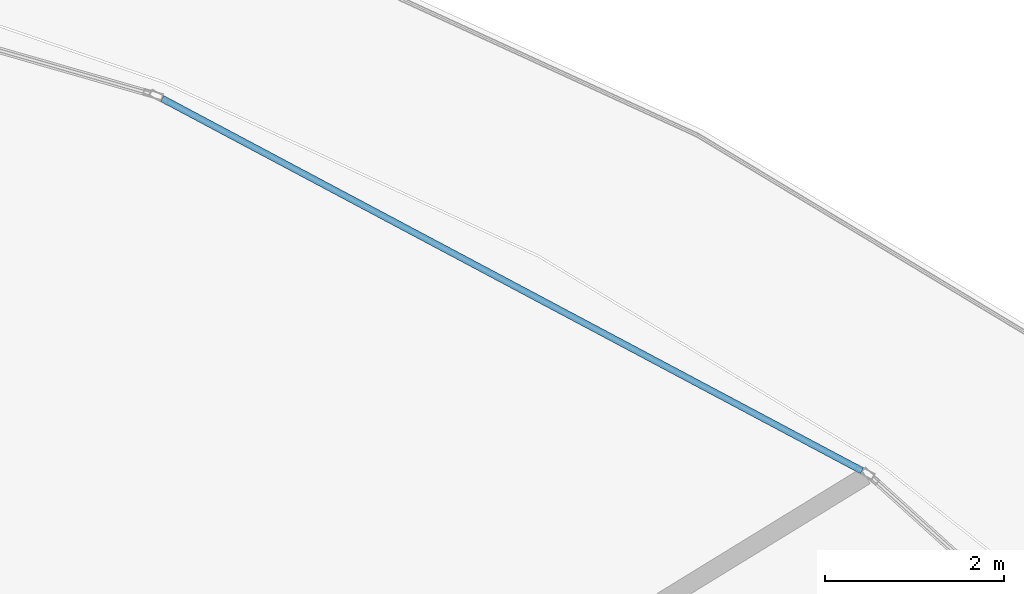
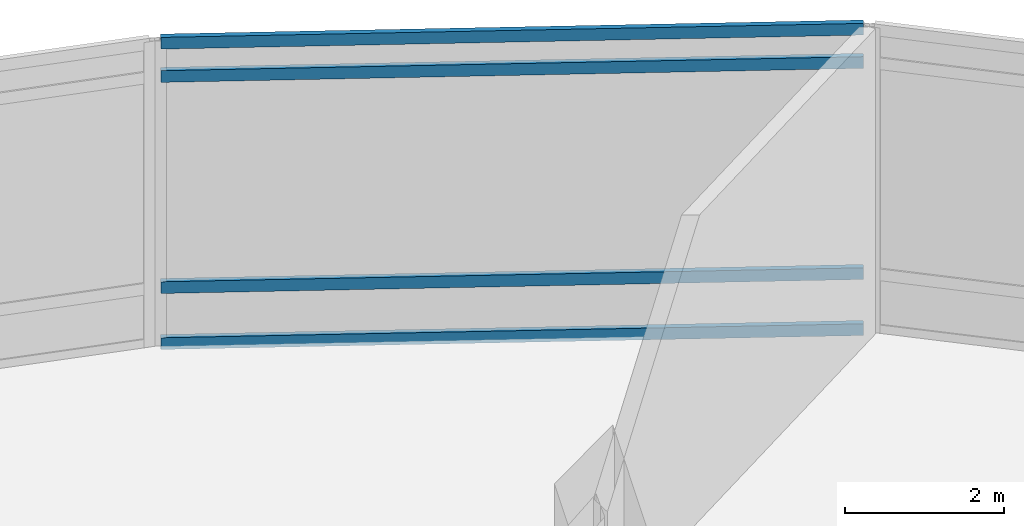
# One storey, part 20 of 37: 4 members, 1 element without a shape of its own.
"""IFC4 building model written with IfcOpenShell, lengths in metres."""

from ifc_helpers import new_model, si_unit, direction, frame, origin, origin_2d, place, context, subcontext, project, spatial, hollow_rectangle, extrude, material, layer, layer_set, material_profile, profile_set, type_object, element, aggregate, save


model = new_model("IFC4")

# Units and contexts
model_context = context("Model", 3, precision=1e-05, world=origin(), true_north=direction((0.0, 1.0)))
body_context = subcontext(model_context, "Body", "Model", "MODEL_VIEW")
ifc_project = project(units=[si_unit("LENGTHUNIT", "METRE"), si_unit("AREAUNIT", "SQUARE_METRE"), si_unit("VOLUMEUNIT", "CUBIC_METRE"), si_unit("PLANEANGLEUNIT", "RADIAN"), si_unit("MASSUNIT", "GRAM", prefix="KILO")], contexts=[model_context])

# Site, building, storey
site_placement = place(None, origin())
site = spatial("IfcSite", under=ifc_project, at=site_placement, CompositionType="ELEMENT")
building_placement = place(site_placement, origin())
building = spatial("IfcBuilding", under=site, at=building_placement, Name="Nuhasar Tower", CompositionType="ELEMENT")
storey_placement = place(building_placement, frame((0.0, 0.0, 6.0)))
storey = spatial("IfcBuildingStorey", under=building, at=storey_placement, Name="L01", CompositionType="ELEMENT", Elevation=6.0)

# Curtain wall, members
ifc_material = material(Name="Aluminium 6063-T6", Category="aluminium")
ifc_layer = layer(ifc_material, 0.219970703125)
ifc_layer_set = layer_set([ifc_layer], Name="Aluminium 6063-T6")
curtain_wall_type = type_object("IfcCurtainWallType", Name="CW-PODIUM", PredefinedType="NOTDEFINED", material=ifc_layer_set)
curtain_wall_placement = place(storey_placement, origin())
curtain_wall = element("IfcCurtainWall", 1, at=curtain_wall_placement, inside=storey, type_object=curtain_wall_type, Name="L01 Podium Curtain Wall Bay 04", PredefinedType="NOTDEFINED")
ifc_material_profile = material_profile(ifc_material, hollow_rectangle(XDim=0.074951171875, YDim=0.179931640625, WallThickness=0.00439453125, at=origin_2d()), Name="CWT-1")
ifc_profile_set = profile_set([ifc_material_profile], Name="Aluminium 6063-T6")
member_type = type_object("IfcMemberType", Name="CW-TRN-S1", PredefinedType="USERDEFINED", material=ifc_profile_set)
member_1_placement = place(storey_placement, frame((66.11474609375, 45.672119140625, 0.03759765625), z_axis=(-0.882899591214, 0.469561829619, 0.0), x_axis=(-0.469561829619, -0.882899591214, 0.0)))
member_1 = element("IfcMember", 2, at=member_1_placement, type_object=member_type, Name="CW-P1 transom 1.1", ObjectType="TRANSOM", PredefinedType="USERDEFINED", context=body_context, shape_type="SweptSolid", body=[
    extrude(hollow_rectangle(XDim=0.074951171875, YDim=0.179931640625, WallThickness=0.00439453125, at=origin_2d()), origin(), (0.0, 0.0, 1.0), 8.866943359375),
])
member_2_placement = place(storey_placement, frame((66.11474609375, 45.672119140625, 0.89990234375), z_axis=(-0.882899591214, 0.469561829619, 0.0), x_axis=(-0.469561829619, -0.882899591214, 0.0)))
member_2 = element("IfcMember", 3, at=member_2_placement, type_object=member_type, Name="CW-P1 transom 1.2", ObjectType="TRANSOM", PredefinedType="USERDEFINED", context=body_context, shape_type="SweptSolid", body=[
    extrude(hollow_rectangle(XDim=0.074951171875, YDim=0.179931640625, WallThickness=0.00439453125, at=origin_2d()), origin(), (0.0, 0.0, 1.0), 8.866943359375),
])
member_3_placement = place(storey_placement, frame((66.11474609375, 45.672119140625, 4.14990234375), z_axis=(-0.882899591214, 0.469561829619, 0.0), x_axis=(-0.469561829619, -0.882899591214, 0.0)))
member_3 = element("IfcMember", 4, at=member_3_placement, type_object=member_type, Name="CW-P1 transom 1.3", ObjectType="TRANSOM", PredefinedType="USERDEFINED", context=body_context, shape_type="SweptSolid", body=[
    extrude(hollow_rectangle(XDim=0.074951171875, YDim=0.179931640625, WallThickness=0.00439453125, at=origin_2d()), origin(), (0.0, 0.0, 1.0), 8.866943359375),
])
member_4_placement = place(storey_placement, frame((66.11474609375, 45.672119140625, 4.66259765625), z_axis=(-0.882899591214, 0.469561829619, 0.0), x_axis=(-0.469561829619, -0.882899591214, 0.0)))
member_4 = element("IfcMember", 5, at=member_4_placement, type_object=member_type, Name="CW-P1 transom 1.4", ObjectType="TRANSOM", PredefinedType="USERDEFINED", context=body_context, shape_type="SweptSolid", body=[
    extrude(hollow_rectangle(XDim=0.074951171875, YDim=0.179931640625, WallThickness=0.00439453125, at=origin_2d()), origin(), (0.0, 0.0, 1.0), 8.866943359375),
])
aggregate(curtain_wall, [member_1, member_2, member_3, member_4])

save(model, "model.ifc")
